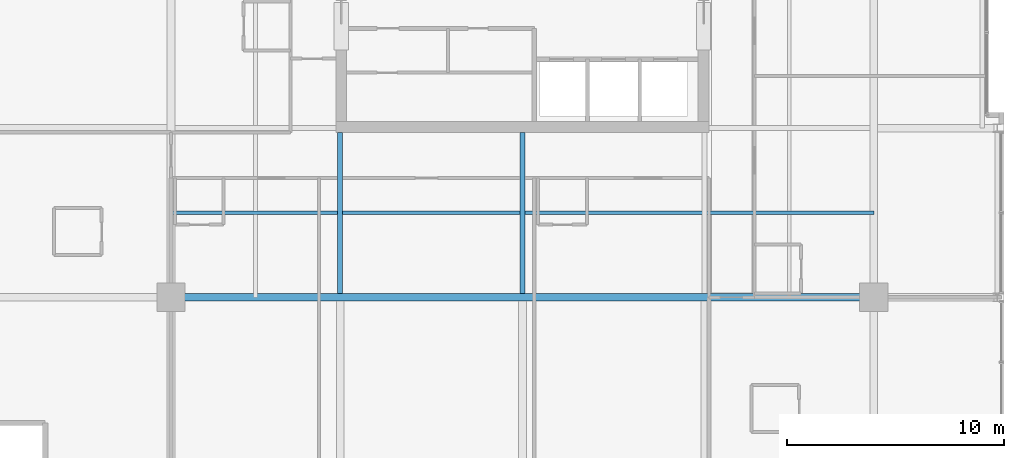
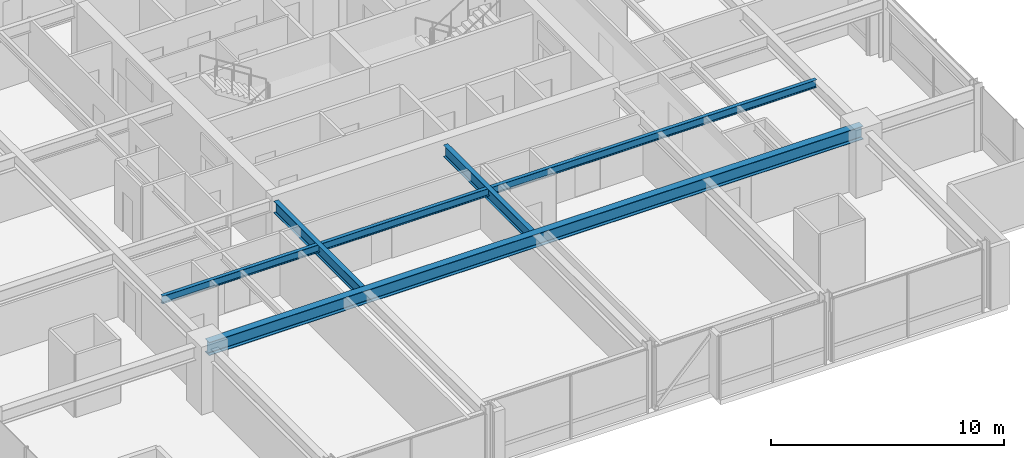
# One storey, part 6 of 32: 4 beams.
"""IFC4 building model written with IfcOpenShell, lengths in metres."""

from ifc_helpers import new_model, si_unit, direction, frame, origin, origin_2d, place, context, subcontext, project, spatial, i_section, extrude, material, material_profile, profile_set, type_object, element, save


model = new_model("IFC4")

# Units and contexts
model_context = context("Model", 3, precision=1e-05, world=origin(), true_north=direction((0.0, 1.0)))
body_context = subcontext(model_context, "Body", "Model", "MODEL_VIEW")
ifc_project = project(units=[si_unit("LENGTHUNIT", "METRE"), si_unit("AREAUNIT", "SQUARE_METRE"), si_unit("VOLUMEUNIT", "CUBIC_METRE"), si_unit("PLANEANGLEUNIT", "RADIAN"), si_unit("MASSUNIT", "GRAM", prefix="KILO")], contexts=[model_context])

# Site, building, storey
site_placement = place(None, origin())
site = spatial("IfcSite", under=ifc_project, at=site_placement, CompositionType="ELEMENT")
building_placement = place(site_placement, origin())
building = spatial("IfcBuilding", under=site, at=building_placement, Name="Drelvath Grand Hotel", CompositionType="ELEMENT")
storey_placement = place(building_placement, frame((0.0, 0.0, 182.35009765625)))
storey = spatial("IfcBuildingStorey", under=building, at=storey_placement, Name="L47", CompositionType="ELEMENT", Elevation=182.35009765625)

# Beams
ifc_material = material(Name="Steel ASTM A992 Gr 50", Category="steel")
ifc_material_profile_1 = material_profile(ifc_material, i_section(OverallWidth=0.177734375, OverallDepth=0.40673828125, WebThickness=0.0078125, FlangeThickness=0.0126953125, FilletRadius=0.014892578125, at=origin_2d()), Name="W16X40")
ifc_profile_set_1 = profile_set([ifc_material_profile_1], Name="Steel ASTM A992 Gr 50")
beam_type_1 = type_object("IfcBeamType", Name="Composite Floor Joist W16X40", PredefinedType="JOIST", material=ifc_profile_set_1)
beam_1_placement = place(storey_placement, frame((-16.199951171875, 14.699951171875, 3.08642578125), z_axis=(1.0, 0.0, 0.0), x_axis=(0.0, 1.0, 0.0)))
element("IfcBeam", 1, at=beam_1_placement, inside=storey, type_object=beam_type_1, Name="L47 Floor Joist J1", PredefinedType="JOIST", context=body_context, shape_type="SweptSolid", body=[
    extrude(i_section(OverallWidth=0.177734375, OverallDepth=0.40673828125, WebThickness=0.0078125, FlangeThickness=0.0126953125, FilletRadius=0.014892578125, at=origin_2d()), origin(), (0.0, 0.0, 1.0), 32.39990234375),
])
ifc_material_profile_2 = material_profile(ifc_material, i_section(OverallWidth=0.228271484375, OverallDepth=0.607666015625, WebThickness=0.01123046875, FlangeThickness=0.017333984375, FilletRadius=0.02001953125, at=origin_2d()), Name="W24X76")
ifc_profile_set_2 = profile_set([ifc_material_profile_2], Name="Steel ASTM A992 Gr 50")
beam_type_2 = type_object("IfcBeamType", Name="Primary Floor Girder W24X76", PredefinedType="BEAM", material=ifc_profile_set_2)
for number, where, z_axis, x_axis, name in (
    (2, (-8.39990234375, 10.977294921875, 2.986083984375), (0.0, 1.0, 0.0), (-1.0, 0.0, 0.0), "L47 South Core Tie 4"),
    (3, (0.0, 10.977294921875, 2.986083984375), (0.0, 1.0, 0.0), (-1.0, 0.0, 0.0), "L47 South Core Tie 5"),
):
    element("IfcBeam", number, at=place(storey_placement, frame(where, z_axis=z_axis, x_axis=x_axis)), inside=storey, type_object=beam_type_2, Name=name, PredefinedType="BEAM", context=body_context, shape_type="SweptSolid", body=[
        extrude(i_section(OverallWidth=0.228271484375, OverallDepth=0.607666015625, WebThickness=0.01123046875, FlangeThickness=0.017333984375, FilletRadius=0.02001953125, at=origin_2d()), origin(), (0.0, 0.0, 1.0), 7.422607421875),
    ])
ifc_material_profile_3 = material_profile(ifc_material, i_section(OverallWidth=0.354736328125, OverallDepth=0.695556640625, WebThickness=0.015380859375, FlangeThickness=0.025146484375, FilletRadius=0.02392578125, at=origin_2d()), Name="W27X146")
ifc_profile_set_3 = profile_set([ifc_material_profile_3], Name="Steel ASTM A992 Gr 50")
beam_type_3 = type_object("IfcBeamType", Name="Primary Floor Girder W27X146", PredefinedType="BEAM", material=ifc_profile_set_3)
beam_2_placement = place(storey_placement, frame((-16.199951171875, 10.800048828125, 2.942138671875), z_axis=(1.0, 0.0, 0.0), x_axis=(0.0, 1.0, 0.0)))
element("IfcBeam", 4, at=beam_2_placement, inside=storey, type_object=beam_type_3, Name="L47 Mega Ring Girder South", PredefinedType="BEAM", context=body_context, shape_type="SweptSolid", body=[
    extrude(i_section(OverallWidth=0.354736328125, OverallDepth=0.695556640625, WebThickness=0.015380859375, FlangeThickness=0.025146484375, FilletRadius=0.02392578125, at=origin_2d()), origin(), (0.0, 0.0, 1.0), 32.39990234375),
])

save(model, "model.ifc")
